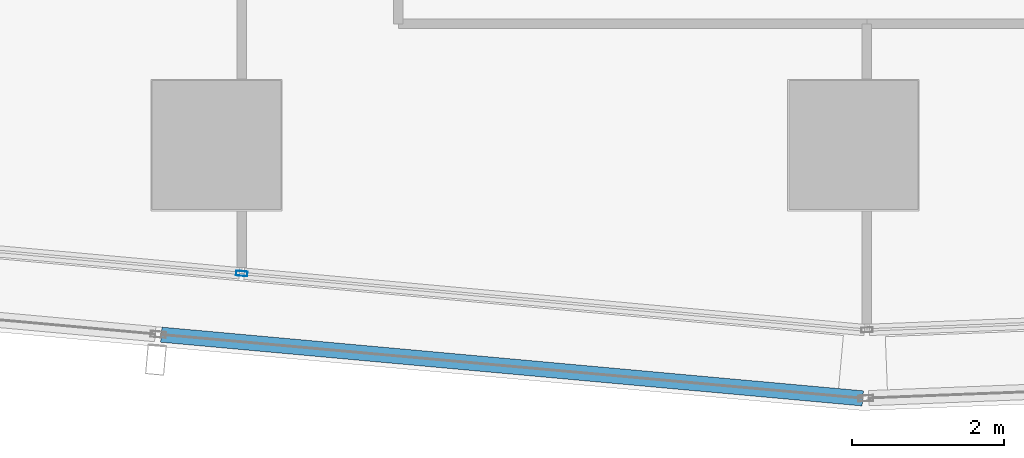
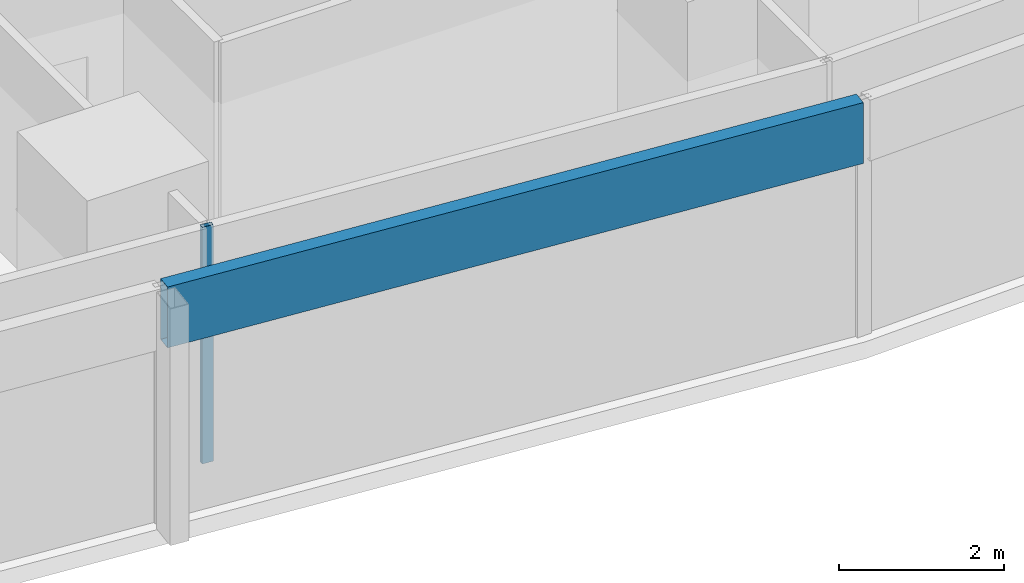
# One storey, part 3 of 40: 2 members, 2 elements without a shape of their own.
"""IFC4 building model written with IfcOpenShell, lengths in metres."""

from ifc_helpers import new_model, si_unit, direction, frame, origin, origin_2d, place, context, subcontext, project, spatial, hollow_rectangle, extrude, material, material_profile, profile_set, type_object, element, aggregate, save


model = new_model("IFC4")

# Units and contexts
model_context = context("Model", 3, precision=1e-05, world=origin(), true_north=direction((0.0, 1.0)))
body_context = subcontext(model_context, "Body", "Model", "MODEL_VIEW")
ifc_project = project(units=[si_unit("LENGTHUNIT", "METRE"), si_unit("AREAUNIT", "SQUARE_METRE"), si_unit("VOLUMEUNIT", "CUBIC_METRE"), si_unit("PLANEANGLEUNIT", "RADIAN"), si_unit("MASSUNIT", "GRAM", prefix="KILO")], contexts=[model_context])

# Site, building, storey
site_placement = place(None, origin())
site = spatial("IfcSite", under=ifc_project, at=site_placement, CompositionType="ELEMENT")
building_placement = place(site_placement, origin())
building = spatial("IfcBuilding", under=site, at=building_placement, Name="Rekha Terrace Tower", CompositionType="ELEMENT")
storey_placement = place(building_placement, frame((0.0, 0.0, 140.300048828125)))
storey = spatial("IfcBuildingStorey", under=building, at=storey_placement, Name="L35", CompositionType="ELEMENT", Elevation=140.300048828125)

# Curtain wall, member
ifc_material_1 = material(Name="Aluminium framing", Category="aluminium")
curtain_wall_type_1 = type_object("IfcCurtainWallType", Name="CW1 double skin inner glazing", PredefinedType="USERDEFINED", material=ifc_material_1)
curtain_wall_1_placement = place(storey_placement, origin())
curtain_wall_1 = element("IfcCurtainWall", 1, at=curtain_wall_1_placement, inside=storey, type_object=curtain_wall_type_1, Name="CW1 double skin inner glazing", ObjectType="DOUBLE SKIN INNER GLAZING", PredefinedType="USERDEFINED")
ifc_material_2 = material(Name="Aluminium mullion section", Category="aluminium")
ifc_material_profile_1 = material_profile(ifc_material_2, hollow_rectangle(XDim=0.06494140625, YDim=0.14990234375, WallThickness=0.00390625, at=origin_2d()), Name="AL RHS 65x150")
ifc_profile_set_1 = profile_set([ifc_material_profile_1], Name="Aluminium mullion section")
member_type_1 = type_object("IfcMemberType", Name="CW1 mullion RHS 65 x 150", PredefinedType="MULLION", material=ifc_profile_set_1)
member_1_placement = place(storey_placement, frame((17.13427734375, 15.107666015625, 0.0), z_axis=(0.0, 0.0, 1.0), x_axis=(0.090439811381, 0.995901923142, 0.0)))
member_1 = element("IfcMember", 2, at=member_1_placement, type_object=member_type_1, Name="CW1 mullion 2", PredefinedType="MULLION", context=body_context, shape_type="SweptSolid", body=[
    extrude(hollow_rectangle(XDim=0.06494140625, YDim=0.14990234375, WallThickness=0.00390625, at=origin_2d()), origin(), (0.0, 0.0, 1.0), 3.5),
])
aggregate(curtain_wall_1, [member_1])

curtain_wall_type_2 = type_object("IfcCurtainWallType", Name="CW2 double skin outer glazing", PredefinedType="USERDEFINED", material=ifc_material_1)
curtain_wall_2_placement = place(storey_placement, origin())
curtain_wall_2 = element("IfcCurtainWall", 3, at=curtain_wall_2_placement, inside=storey, type_object=curtain_wall_type_2, Name="CW2 double skin outer glazing", ObjectType="DOUBLE SKIN OUTER GLAZING", PredefinedType="USERDEFINED")
ifc_material_3 = material(Name="Insulated aluminium spandrel box", Category="aluminium")
ifc_material_profile_2 = material_profile(ifc_material_3, hollow_rectangle(XDim=0.199951171875, YDim=0.89990234375, WallThickness=0.0029296875, at=origin_2d()), Name="AL SPANDREL BOX 200x900")
ifc_profile_set_2 = profile_set([ifc_material_profile_2], Name="Insulated aluminium spandrel box")
member_type_2 = type_object("IfcMemberType", Name="CW2 spandrel transom 200 x 900", PredefinedType="USERDEFINED", material=ifc_profile_set_2)
member_2_placement = place(storey_placement, frame((16.072265625, 14.300537109375, 3.050048828125), z_axis=(0.995900527097, -0.090455182982, 0.0), x_axis=(0.090455182982, 0.995900527097, 0.0)))
member_2 = element("IfcMember", 4, at=member_2_placement, type_object=member_type_2, Name="CW2 spandrel transom 2", ObjectType="TRANSOM", PredefinedType="USERDEFINED", context=body_context, shape_type="SweptSolid", body=[
    extrude(hollow_rectangle(XDim=0.199951171875, YDim=0.89990234375, WallThickness=0.0029296875, at=origin_2d()), origin(), (0.0, 0.0, 1.0), 9.2900390625),
])
aggregate(curtain_wall_2, [member_2])

save(model, "model.ifc")
